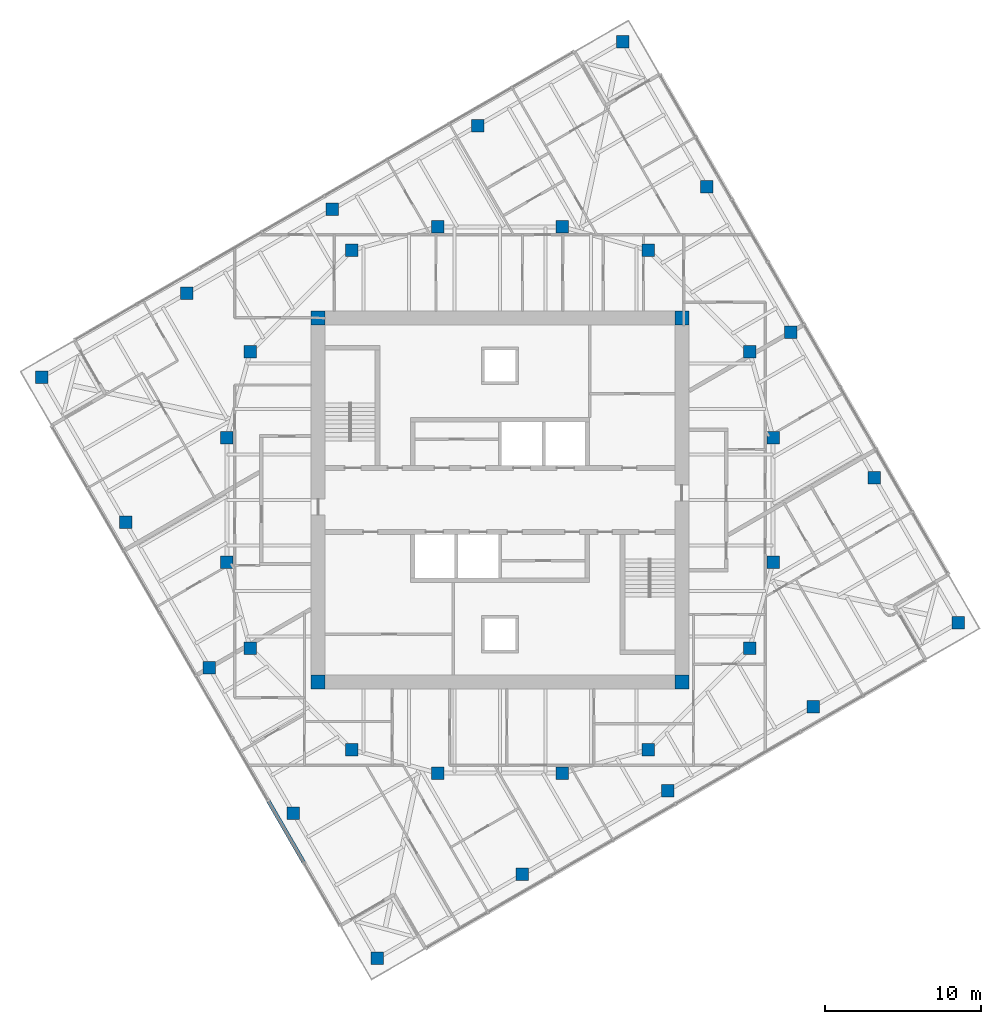
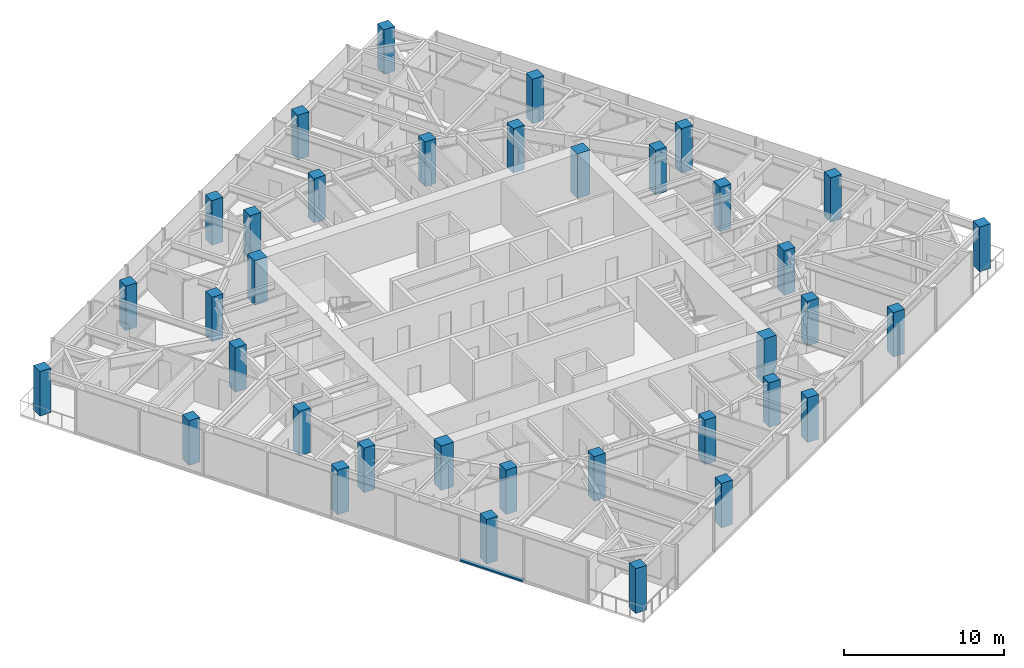
# One storey, part 1 of 13: 36 columns, 1 member, 1 element without a shape of its own.
"""IFC4 building model written with IfcOpenShell, lengths in metres."""

from ifc_helpers import new_model, si_unit, direction, frame, origin, origin_2d, place, context, subcontext, project, spatial, rectangle, extrude, material, material_profile, profile_set, type_object, element, aggregate, save


model = new_model("IFC4")

# Units and contexts
model_context = context("Model", 3, precision=1e-05, world=origin(), true_north=direction((0.0, 1.0)))
body_context = subcontext(model_context, "Body", "Model", "MODEL_VIEW")
ifc_project = project(units=[si_unit("LENGTHUNIT", "METRE"), si_unit("AREAUNIT", "SQUARE_METRE"), si_unit("VOLUMEUNIT", "CUBIC_METRE"), si_unit("PLANEANGLEUNIT", "RADIAN"), si_unit("MASSUNIT", "GRAM", prefix="KILO")], contexts=[model_context])

# Site, building, storey
site_placement = place(None, origin())
site = spatial("IfcSite", under=ifc_project, at=site_placement, CompositionType="ELEMENT")
building_placement = place(site_placement, origin())
building = spatial("IfcBuilding", under=site, at=building_placement, Name="Torsade Residences", CompositionType="ELEMENT")
storey_placement = place(building_placement, frame((0.0, 0.0, 215.0)))
storey = spatial("IfcBuildingStorey", under=building, at=storey_placement, Name="L59", CompositionType="ELEMENT", Elevation=215.0)

# Columns
ifc_material_1 = material(Name="Concrete 80 MPa", Category="concrete")
ifc_material_profile_1 = material_profile(ifc_material_1, rectangle(XDim=0.89990234375, YDim=0.89990234375, at=origin_2d()), Name="RC 900x900")
ifc_profile_set_1 = profile_set([ifc_material_profile_1], Name="Concrete 80 MPa")
column_type_1 = type_object("IfcColumnType", Name="CORE CORNER COLUMN RC 900x900", PredefinedType="COLUMN", material=ifc_profile_set_1)
for number, where, z_axis, x_axis, name in (
    (1, (28.35009765625, 18.35009765625, 0.0), (0.0, 0.0, 1.0), (1.0, 0.0, 0.0), "Core corner column CC1 L59"),
    (2, (51.64990234375, 18.35009765625, 0.0), (0.0, 0.0, 1.0), (1.0, 0.0, 0.0), "Core corner column CC2 L59"),
    (3, (51.64990234375, 41.64990234375, 0.0), (0.0, 0.0, 1.0), (1.0, 0.0, 0.0), "Core corner column CC3 L59"),
    (4, (28.35009765625, 41.64990234375, 0.0), (0.0, 0.0, 1.0), (1.0, 0.0, 0.0), "Core corner column CC4 L59"),
):
    element("IfcColumn", number, at=place(storey_placement, frame(where, z_axis=z_axis, x_axis=x_axis)), inside=storey, type_object=column_type_1, Name=name, PredefinedType="COLUMN", context=body_context, shape_type="SweptSolid", body=[
        extrude(rectangle(XDim=0.89990234375, YDim=0.89990234375, at=origin_2d()), origin(), (0.0, 0.0, 1.0), 3.39990234375),
    ])
ifc_material_2 = material(Name="Concrete 80 MPa", Category="concrete")
ifc_material_profile_2 = material_profile(ifc_material_2, rectangle(XDim=0.800048828125, YDim=0.800048828125, at=origin_2d()), Name="RC 800x800")
ifc_profile_set_2 = profile_set([ifc_material_profile_2], Name="Concrete 80 MPa")
column_type_2 = type_object("IfcColumnType", Name="INNER RING COLUMN RC 800x800", PredefinedType="COLUMN", material=ifc_profile_set_2)
for number, where, z_axis, x_axis, name in (
    (5, (57.5, 26.0, 0.0), (0.0, 0.0, 1.0), (1.0, 0.0, 0.0), "Inner ring column IR01 L59"),
    (6, (57.5, 34.0, 0.0), (0.0, 0.0, 1.0), (1.0, 0.0, 0.0), "Inner ring column IR02 L59"),
    (7, (56.0, 39.5, 0.0), (0.0, 0.0, 1.0), (1.0, 0.0, 0.0), "Inner ring column IR03 L59"),
    (8, (49.5, 46.0, 0.0), (0.0, 0.0, 1.0), (1.0, 0.0, 0.0), "Inner ring column IR04 L59"),
    (9, (44.0, 47.5, 0.0), (0.0, 0.0, 1.0), (1.0, 0.0, 0.0), "Inner ring column IR05 L59"),
    (10, (36.0, 47.5, 0.0), (0.0, 0.0, 1.0), (1.0, 0.0, 0.0), "Inner ring column IR06 L59"),
    (11, (30.5, 46.0, 0.0), (0.0, 0.0, 1.0), (1.0, 0.0, 0.0), "Inner ring column IR07 L59"),
    (12, (24.0, 39.5, 0.0), (0.0, 0.0, 1.0), (1.0, 0.0, 0.0), "Inner ring column IR08 L59"),
    (13, (22.5, 34.0, 0.0), (0.0, 0.0, 1.0), (1.0, 0.0, 0.0), "Inner ring column IR09 L59"),
    (14, (22.5, 26.0, 0.0), (0.0, 0.0, 1.0), (1.0, 0.0, 0.0), "Inner ring column IR10 L59"),
    (15, (24.0, 20.5, 0.0), (0.0, 0.0, 1.0), (1.0, 0.0, 0.0), "Inner ring column IR11 L59"),
    (16, (30.5, 14.0, 0.0), (0.0, 0.0, 1.0), (1.0, 0.0, 0.0), "Inner ring column IR12 L59"),
    (17, (36.0, 12.5, 0.0), (0.0, 0.0, 1.0), (1.0, 0.0, 0.0), "Inner ring column IR13 L59"),
    (18, (44.0, 12.5, 0.0), (0.0, 0.0, 1.0), (1.0, 0.0, 0.0), "Inner ring column IR14 L59"),
    (19, (49.5, 14.0, 0.0), (0.0, 0.0, 1.0), (1.0, 0.0, 0.0), "Inner ring column IR15 L59"),
    (20, (56.0, 20.5, 0.0), (0.0, 0.0, 1.0), (1.0, 0.0, 0.0), "Inner ring column IR16 L59"),
):
    element("IfcColumn", number, at=place(storey_placement, frame(where, z_axis=z_axis, x_axis=x_axis)), inside=storey, type_object=column_type_2, Name=name, PredefinedType="COLUMN", context=body_context, shape_type="SweptSolid", body=[
        extrude(rectangle(XDim=0.800048828125, YDim=0.800048828125, at=origin_2d()), origin(), (0.0, 0.0, 1.0), 3.39990234375),
    ])
ifc_material_3 = material(Name="Concrete 80 MPa", Category="concrete")
ifc_material_profile_3 = material_profile(ifc_material_3, rectangle(XDim=0.800048828125, YDim=0.800048828125, at=origin_2d()), Name="RC 800x800")
ifc_profile_set_3 = profile_set([ifc_material_profile_3], Name="Concrete 80 MPa")
column_type_3 = type_object("IfcColumnType", Name="TOWER COLUMN RC 800x800", PredefinedType="COLUMN", material=ifc_profile_set_3)
for number, where, z_axis, x_axis, name in (
    (21, (32.13037109375, 0.63037109375, 0.0), (0.0, 0.0, 1.0), (1.0, 0.0, 0.0), "Column TC7-01 L59"),
    (22, (41.440185546875, 6.00537109375, 0.0), (0.0, 0.0, 1.0), (1.0, 0.0, 0.0), "Column TC7-02 L59"),
    (23, (50.75, 11.38037109375, 0.0), (0.0, 0.0, 1.0), (1.0, 0.0, 0.0), "Column TC7-03 L59"),
    (24, (60.059814453125, 16.75537109375, 0.0), (0.0, 0.0, 1.0), (1.0, 0.0, 0.0), "Column TC7-04 L59"),
    (25, (69.36962890625, 22.13037109375, 0.0), (0.0, 0.0, 1.0), (1.0, 0.0, 0.0), "Column TC7-05 L59"),
    (26, (63.99462890625, 31.440185546875, 0.0), (0.0, 0.0, 1.0), (1.0, 0.0, 0.0), "Column TC7-06 L59"),
    (27, (58.61962890625, 40.75, 0.0), (0.0, 0.0, 1.0), (1.0, 0.0, 0.0), "Column TC7-07 L59"),
    (28, (53.24462890625, 50.059814453125, 0.0), (0.0, 0.0, 1.0), (1.0, 0.0, 0.0), "Column TC7-08 L59"),
    (29, (47.86962890625, 59.36962890625, 0.0), (0.0, 0.0, 1.0), (1.0, 0.0, 0.0), "Column TC7-09 L59"),
    (30, (38.559814453125, 53.99462890625, 0.0), (0.0, 0.0, 1.0), (1.0, 0.0, 0.0), "Column TC7-10 L59"),
    (31, (29.25, 48.61962890625, 0.0), (0.0, 0.0, 1.0), (1.0, 0.0, 0.0), "Column TC7-11 L59"),
    (32, (19.940185546875, 43.24462890625, 0.0), (0.0, 0.0, 1.0), (1.0, 0.0, 0.0), "Column TC7-12 L59"),
    (33, (10.63037109375, 37.86962890625, 0.0), (0.0, 0.0, 1.0), (1.0, 0.0, 0.0), "Column TC7-13 L59"),
    (34, (16.00537109375, 28.559814453125, 0.0), (0.0, 0.0, 1.0), (1.0, 0.0, 0.0), "Column TC7-14 L59"),
    (35, (21.38037109375, 19.25, 0.0), (0.0, 0.0, 1.0), (1.0, 0.0, 0.0), "Column TC7-15 L59"),
    (36, (26.75537109375, 9.940185546875, 0.0), (0.0, 0.0, 1.0), (1.0, 0.0, 0.0), "Column TC7-16 L59"),
):
    element("IfcColumn", number, at=place(storey_placement, frame(where, z_axis=z_axis, x_axis=x_axis)), inside=storey, type_object=column_type_3, Name=name, PredefinedType="COLUMN", context=body_context, shape_type="SweptSolid", body=[
        extrude(rectangle(XDim=0.800048828125, YDim=0.800048828125, at=origin_2d()), origin(), (0.0, 0.0, 1.0), 3.39990234375),
    ])

# Curtain wall, member
ifc_material_4 = material(Name="Aluminium and glass", Category="aluminium")
curtain_wall_type = type_object("IfcCurtainWallType", Name="FRITTED GLASS CURTAIN WALL HIGH ZONE", PredefinedType="NOTDEFINED", material=ifc_material_4)
curtain_wall_placement = place(storey_placement, origin())
curtain_wall = element("IfcCurtainWall", 37, at=curtain_wall_placement, inside=storey, type_object=curtain_wall_type, Name="Curtain wall L59 face 10", PredefinedType="NOTDEFINED")
ifc_material_5 = material(Name="Aluminium transom", Category="aluminium")
ifc_material_profile_4 = material_profile(ifc_material_5, rectangle(XDim=0.25, YDim=0.1201171875, at=origin_2d()), Name="HIGH ZONE CURTAIN WALL TRANSOM 250x120")
ifc_profile_set_4 = profile_set([ifc_material_profile_4], Name="Aluminium transom")
member_type = type_object("IfcMemberType", Name="HIGH ZONE CURTAIN WALL TRANSOM 250x120", PredefinedType="USERDEFINED", material=ifc_profile_set_4)
member_placement = place(storey_placement, frame((25.164306640625, 10.696044921875, 0.06005859375), z_axis=(0.500015112013, -0.866016678684, 0.0), x_axis=(0.866016678684, 0.500015112013, 0.0)))
member = element("IfcMember", 38, at=member_placement, type_object=member_type, Name="Transom 7.1", ObjectType="TRANSOM", PredefinedType="USERDEFINED", context=body_context, shape_type="SweptSolid", body=[
    extrude(rectangle(XDim=0.25, YDim=0.1201171875, at=origin_2d()), origin(), (0.0, 0.0, 1.0), 4.525146484375),
])
aggregate(curtain_wall, [member])

save(model, "model.ifc")
